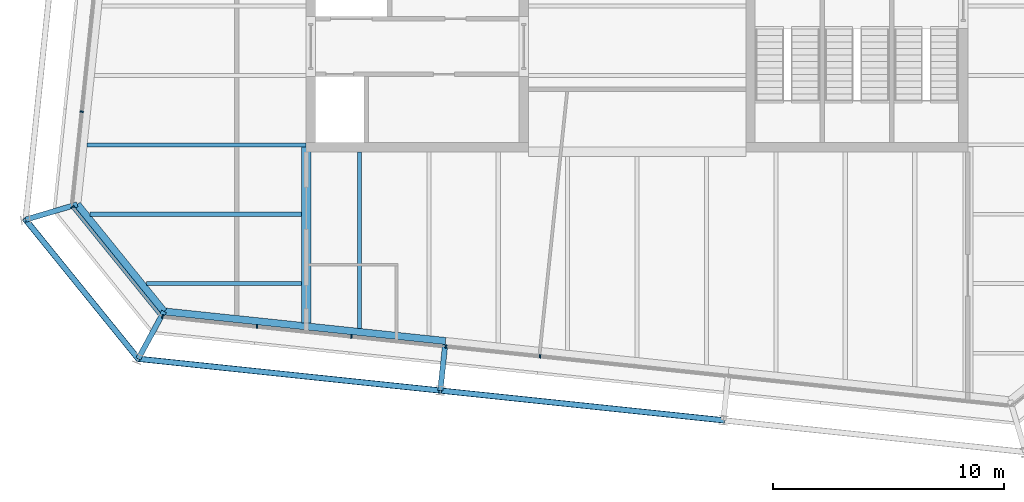
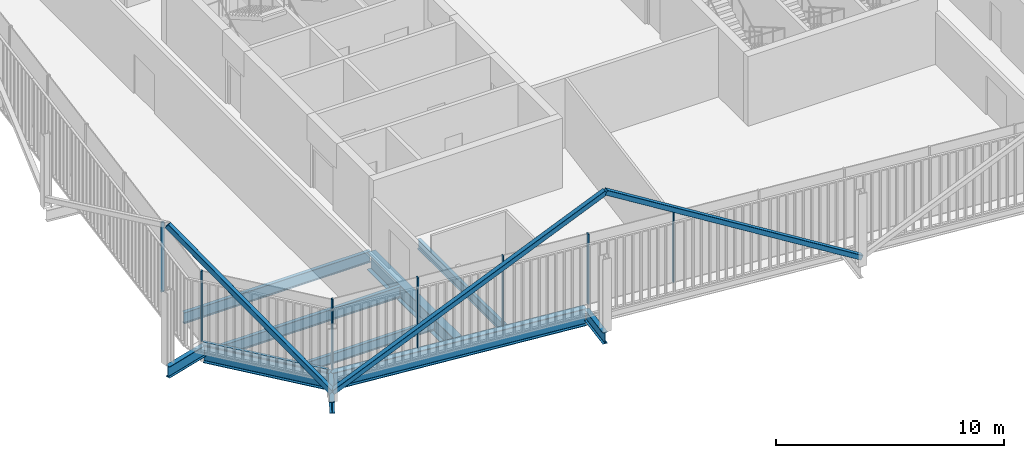
# One storey, part 3 of 21: 11 members, 10 beams, 3 elements without a shape of their own.
"""IFC4 building model written with IfcOpenShell, lengths in metres."""

import ifcopenshell
import ifcopenshell.guid

model = None  # the IFC model being written
_history = None  # IfcOwnerHistory: only IFC2X3 demands one
_inside = {}  # id of a spatial element -> (the spatial element, [elements in it])
_under = {}  # id of a project, library or spatial element -> (it, [spatial elements below it])
_declared = {}  # id of a project -> (the project, [libraries it declares])
_typed = {}  # id of a type object -> (the type object, [elements of that type])
_made_of = {}  # id of a material, layer set ... -> (it, [elements and type objects made of it])


def new_model(schema):
    """Start an empty IFC model of exactly this schema.

    Asked for "IFC4X3", IfcOpenShell would pick the latest addendum, in which some entities
    have other attributes; the version numbers below select the first issue.
    IFC2X3 requires an IfcOwnerHistory on every rooted entity: one is made here for all.
    """
    global model, _history
    if schema == "IFC4X3":
        model = ifcopenshell.file(schema_version=(4, 3, 0, 0))
    else:
        model = ifcopenshell.file(schema=schema)
    _inside.clear()
    _under.clear()
    _declared.clear()
    _typed.clear()
    _made_of.clear()
    _history = None
    if model.schema == "IFC2X3":
        org = make("IfcOrganization", Name="unknown")
        user = make(
            "IfcPersonAndOrganization",
            ThePerson=make("IfcPerson", FamilyName="unknown"),
            TheOrganization=org,
        )
        app = make(
            "IfcApplication",
            ApplicationDeveloper=org,
            Version="unknown",
            ApplicationFullName="unknown",
            ApplicationIdentifier="unknown",
        )
        _history = make(
            "IfcOwnerHistory",
            OwningUser=user,
            OwningApplication=app,
            ChangeAction="ADDED",
            CreationDate=0,
        )
    return model


def make(cls, **values):
    """One entity of the class cls with the attributes given. An attribute that is None is left unset."""
    return model.create_entity(
        cls, **{name: value for name, value in values.items() if value is not None}
    )


def rooted(cls, **values):
    """An entity with a GlobalId (a new one), such as an element, a storey or a relation."""
    return make(cls, GlobalId=ifcopenshell.guid.new(), OwnerHistory=_history, **values)


def si_unit(unit_type, name, prefix=None):
    """IfcSIUnit, for example si_unit("LENGTHUNIT", "METRE", prefix="MILLI")."""
    return make("IfcSIUnit", UnitType=unit_type, Prefix=prefix, Name=name)


def assignment(units):
    """IfcUnitAssignment: the units of a project."""
    return None if units is None else make("IfcUnitAssignment", Units=units)


def point(xyz):
    """IfcCartesianPoint."""
    return None if xyz is None else make("IfcCartesianPoint", Coordinates=xyz)


def direction(xyz):
    """IfcDirection."""
    return None if xyz is None else make("IfcDirection", DirectionRatios=xyz)


def frame(location, z_axis=None, x_axis=None):
    """IfcAxis2Placement3D, a coordinate frame: its origin and axes. An axis left out is left unset."""
    return make(
        "IfcAxis2Placement3D",
        Location=point(location),
        Axis=direction(z_axis),
        RefDirection=direction(x_axis),
    )


def frame_2d(location, x_axis=None):
    """IfcAxis2Placement2D, a coordinate frame in the plane: its origin and x axis."""
    return make(
        "IfcAxis2Placement2D", Location=point(location), RefDirection=direction(x_axis)
    )


def origin():
    """The frame at (0, 0, 0) with its axes left unset."""
    return frame((0.0, 0.0, 0.0))


def origin_2d():
    """The frame at (0, 0) in the plane with its x axis left unset."""
    return frame_2d((0.0, 0.0))


def place(relative_to, where):
    """IfcLocalPlacement: puts the frame where relative to a parent placement (None: the world)."""
    return make(
        "IfcLocalPlacement", PlacementRelTo=relative_to, RelativePlacement=where
    )


def context(
    kind, dimensions, precision=None, world=None, true_north=None, identifier=None
):
    """IfcGeometricRepresentationContext, for example the 3D "Model" context."""
    return make(
        "IfcGeometricRepresentationContext",
        ContextIdentifier=identifier,
        ContextType=kind,
        CoordinateSpaceDimension=dimensions,
        Precision=precision,
        WorldCoordinateSystem=world,
        TrueNorth=true_north,
    )


def subcontext(parent, identifier, kind, view, scale=None):
    """IfcGeometricRepresentationSubContext, for example "Body" below "Model"."""
    return make(
        "IfcGeometricRepresentationSubContext",
        ContextIdentifier=identifier,
        ContextType=kind,
        ParentContext=parent,
        TargetScale=scale,
        TargetView=view,
    )


def project(units=None, contexts=None):
    """IfcProject with its units and contexts."""
    return rooted(
        "IfcProject",
        Name="project",
        RepresentationContexts=contexts,
        UnitsInContext=assignment(units),
    )


def spatial(cls, under=None, at=None, **own):
    """A site, building, storey or space (cls), placed at a placement, below another one or the project."""
    s = rooted(cls, ObjectPlacement=at, **own)
    if under is not None:
        _under.setdefault(under.id(), (under, []))[1].append(s)
    return s


def profile(cls, at=None, kind="AREA", **sizes):
    """A parametric profile (cls). Its sizes go by their IFC names, for example OverallWidth=200.0."""
    return make(cls, ProfileType=kind, Position=at, **sizes)


def rectangle(**sizes):
    """IfcRectangleProfileDef."""
    return profile("IfcRectangleProfileDef", **sizes)


def hollow_rectangle(**sizes):
    """IfcRectangleHollowProfileDef."""
    return profile("IfcRectangleHollowProfileDef", **sizes)


def i_section(**sizes):
    """IfcIShapeProfileDef."""
    return profile("IfcIShapeProfileDef", **sizes)


def extrude(swept, where, along, depth):
    """IfcExtrudedAreaSolid: the profile swept, set in the frame where, extruded along a direction by depth."""
    return make(
        "IfcExtrudedAreaSolid",
        SweptArea=swept,
        Position=where,
        ExtrudedDirection=direction(along),
        Depth=depth,
    )


def shape(context_of_items, identifier, shape_type, items):
    """IfcShapeRepresentation: the items that make up one representation, for example the "Body"."""
    return make(
        "IfcShapeRepresentation",
        ContextOfItems=context_of_items,
        RepresentationIdentifier=identifier,
        RepresentationType=shape_type,
        Items=items,
    )


def material(Name=None, Category=None):
    """IfcMaterial."""
    return make("IfcMaterial", Name=Name, Category=Category)


def layer(
    of_material, thickness, ventilated=None, Name=None, Category=None, Priority=None
):
    """IfcMaterialLayer: one layer of a wall or slab, of a material (None: an air gap)."""
    return make(
        "IfcMaterialLayer",
        Material=of_material,
        LayerThickness=thickness,
        IsVentilated=ventilated,
        Name=Name,
        Category=Category,
        Priority=Priority,
    )


def layer_set(layers, Name=None):
    """IfcMaterialLayerSet."""
    return make("IfcMaterialLayerSet", MaterialLayers=layers, LayerSetName=Name)


def material_profile(
    of_material, cross_section, Name=None, Category=None, Priority=None
):
    """IfcMaterialProfile: a cross section and its material."""
    return make(
        "IfcMaterialProfile",
        Name=Name,
        Material=of_material,
        Profile=cross_section,
        Priority=Priority,
        Category=Category,
    )


def profile_set(profiles, Name=None, composite=None):
    """IfcMaterialProfileSet."""
    return make(
        "IfcMaterialProfileSet",
        Name=Name,
        MaterialProfiles=profiles,
        CompositeProfile=composite,
    )


def made_of(thing, what):
    """Note that an element or type object is made of a material, layer set ...; save() writes the relation."""
    if what is not None:
        _made_of.setdefault(what.id(), (what, []))[1].append(thing)
    return thing


def type_object(cls, material=None, **own):
    """A type object (cls), such as IfcWallType, which elements share."""
    return made_of(rooted(cls, **own), material)


def element(
    cls,
    number,
    at=None,
    inside=None,
    cuts=None,
    type_object=None,
    material=None,
    context=None,
    identifier="Body",
    shape_type=None,
    held_by="IfcProductDefinitionShape",
    body=None,
    shapes=None,
    **own,
):
    """One element of the class cls, such as IfcWall. Its Tag is "e" and its number.

    at: its placement. inside: the storey or other place that contains it. cuts: it is an
    opening in that element (IfcRelVoidsElement). A single representation is given by context,
    identifier, shape_type and body (its items); several are given by shapes. held_by: the class
    of the entity that holds the representations. save() writes the other relations.
    """
    e = rooted(cls, Tag="e%d" % number, ObjectPlacement=at, **own)
    if body is not None:
        shapes = [shape(context, identifier, shape_type, body)]
    if shapes is not None:
        e.Representation = make(held_by, Representations=shapes)
    if inside is not None:
        _inside.setdefault(inside.id(), (inside, []))[1].append(e)
    if cuts is not None:
        rooted(
            "IfcRelVoidsElement", RelatingBuildingElement=cuts, RelatedOpeningElement=e
        )
    if type_object is not None:
        _typed.setdefault(type_object.id(), (type_object, []))[1].append(e)
    return made_of(e, material)


def aggregate(whole, parts):
    """IfcRelAggregates: a whole, such as a stair, and the parts it consists of."""
    return rooted("IfcRelAggregates", RelatingObject=whole, RelatedObjects=parts)


def save(model, path):
    """Write the relations noted so far, then the file.

    IfcRelAggregates (storeys below a building ...), IfcRelContainedInSpatialStructure (elements
    in a storey), IfcRelDefinesByType, IfcRelAssociatesMaterial and IfcRelDeclares: one each for
    every whole, place, type object, material and project.
    """
    for whole, parts in _under.values():
        aggregate(whole, parts)
    for where, things in _inside.values():
        rooted(
            "IfcRelContainedInSpatialStructure",
            RelatedElements=things,
            RelatingStructure=where,
        )
    for kind, things in _typed.values():
        rooted("IfcRelDefinesByType", RelatedObjects=things, RelatingType=kind)
    for what, things in _made_of.values():
        rooted("IfcRelAssociatesMaterial", RelatedObjects=things, RelatingMaterial=what)
    for by, libraries in _declared.values():
        rooted("IfcRelDeclares", RelatingContext=by, RelatedDefinitions=libraries)
    model.write(path)


model = new_model("IFC4")

# Units and contexts
model_context = context("Model", 3, precision=1e-05, world=origin(), true_north=direction((0.0, 1.0)))
body_context = subcontext(model_context, "Body", "Model", "MODEL_VIEW")
ifc_project = project(units=[si_unit("LENGTHUNIT", "METRE"), si_unit("AREAUNIT", "SQUARE_METRE"), si_unit("VOLUMEUNIT", "CUBIC_METRE"), si_unit("PLANEANGLEUNIT", "RADIAN"), si_unit("MASSUNIT", "GRAM", prefix="KILO")], contexts=[model_context])

# Site, building, storey
site_placement = place(None, origin())
site = spatial("IfcSite", under=ifc_project, at=site_placement, CompositionType="ELEMENT")
building_placement = place(site_placement, origin())
building = spatial("IfcBuilding", under=site, at=building_placement, Name="Millrace Tower", CompositionType="ELEMENT")
storey_placement = place(building_placement, frame((0.0, 0.0, 283.800048828125)))
storey = spatial("IfcBuildingStorey", under=building, at=storey_placement, Name="L65", CompositionType="ELEMENT", Elevation=283.800048828125)

# Curtain wall, member
ifc_material_1 = material(Name="Aluminium and glass", Category="aluminium")
ifc_layer = layer(ifc_material_1, 0.14990234375)
ifc_layer_set = layer_set([ifc_layer], Name="Aluminium and glass")
curtain_wall_type = type_object("IfcCurtainWallType", Name="CW-1 office vision curtain wall", PredefinedType="NOTDEFINED", material=ifc_layer_set)
placement = place(storey_placement, origin())
curtain_wall_1 = element("IfcCurtainWall", 1, at=placement, inside=storey, type_object=curtain_wall_type, Name="Curtain wall E-F01 L65", PredefinedType="NOTDEFINED")
ifc_material_2 = material(Name="Aluminium", Category="aluminium")
ifc_material_profile_1 = material_profile(ifc_material_2, rectangle(XDim=0.06494140625, YDim=0.14990234375, at=origin_2d()))
ifc_profile_set_1 = profile_set([ifc_material_profile_1], Name="Aluminium")
member_type_1 = type_object("IfcMemberType", Name="CW-1 office vision curtain wall mullion", PredefinedType="MULLION", material=ifc_profile_set_1)
member_1_placement = place(storey_placement, frame((-24.391845703125, -11.693359375, 0.139892578125), z_axis=(0.0, 0.0, 1.0), x_axis=(0.629320278945, -0.777146052237, 0.0)))
member_1 = element("IfcMember", 2, at=member_1_placement, type_object=member_type_1, Name="CW1 mullion E-F01.1", PredefinedType="MULLION", context=body_context, shape_type="SweptSolid", body=[
    extrude(rectangle(XDim=0.06494140625, YDim=0.14990234375, at=origin_2d()), origin(), (0.0, 0.0, 1.0), 3.760009765625),
])

# Curtain wall, members
curtain_wall_2 = element("IfcCurtainWall", 3, at=placement, inside=storey, type_object=curtain_wall_type, Name="Curtain wall E-F02 L65", PredefinedType="NOTDEFINED")
member_2_placement = place(storey_placement, frame((-20.50244140625, -16.4248046875, 0.139892578125), z_axis=(0.0, 0.0, 1.0), x_axis=(0.994521896217, -0.104528455196, 0.0)))
member_2 = element("IfcMember", 4, at=member_2_placement, type_object=member_type_1, Name="CW1 mullion E-F02.1", PredefinedType="MULLION", context=body_context, shape_type="SweptSolid", body=[
    extrude(rectangle(XDim=0.06494140625, YDim=0.14990234375, at=origin_2d()), origin(), (0.0, 0.0, 1.0), 3.760009765625),
])
member_3_placement = place(storey_placement, frame((-16.425048828125, -16.853271484375, 0.139892578125), z_axis=(0.0, 0.0, 1.0), x_axis=(0.994521896217, -0.104528455196, 0.0)))
member_3 = element("IfcMember", 5, at=member_3_placement, type_object=member_type_1, Name="CW1 mullion E-F02.2", PredefinedType="MULLION", context=body_context, shape_type="SweptSolid", body=[
    extrude(rectangle(XDim=0.06494140625, YDim=0.14990234375, at=origin_2d()), origin(), (0.0, 0.0, 1.0), 3.760009765625),
])
member_4_placement = place(storey_placement, frame((-12.347412109375, -17.281982421875, 0.139892578125), z_axis=(0.0, 0.0, 1.0), x_axis=(0.994521896217, -0.104528455196, 0.0)))
member_4 = element("IfcMember", 6, at=member_4_placement, type_object=member_type_1, Name="CW1 mullion E-F02.3", PredefinedType="MULLION", context=body_context, shape_type="SweptSolid", body=[
    extrude(rectangle(XDim=0.06494140625, YDim=0.14990234375, at=origin_2d()), origin(), (0.0, 0.0, 1.0), 3.760009765625),
])
member_5_placement = place(storey_placement, frame((-8.269775390625, -17.71044921875, 0.139892578125), z_axis=(0.0, 0.0, 1.0), x_axis=(0.994521896217, -0.104528455196, 0.0)))
member_5 = element("IfcMember", 7, at=member_5_placement, type_object=member_type_1, Name="CW1 mullion E-F02.4", PredefinedType="MULLION", context=body_context, shape_type="SweptSolid", body=[
    extrude(rectangle(XDim=0.06494140625, YDim=0.14990234375, at=origin_2d()), origin(), (0.0, 0.0, 1.0), 3.760009765625),
])
member_6_placement = place(storey_placement, frame((-4.1923828125, -18.13916015625, 0.139892578125), z_axis=(0.0, 0.0, 1.0), x_axis=(0.994521896217, -0.104528455196, 0.0)))
member_6 = element("IfcMember", 8, at=member_6_placement, type_object=member_type_1, Name="CW1 mullion E-F02.5", PredefinedType="MULLION", context=body_context, shape_type="SweptSolid", body=[
    extrude(rectangle(XDim=0.06494140625, YDim=0.14990234375, at=origin_2d()), origin(), (0.0, 0.0, 1.0), 3.760009765625),
])
aggregate(curtain_wall_2, [member_2, member_3, member_4, member_5, member_6])

# Curtain wall, member
curtain_wall_3 = element("IfcCurtainWall", 9, at=placement, inside=storey, type_object=curtain_wall_type, Name="Curtain wall E-F08 L65", PredefinedType="NOTDEFINED")
member_7_placement = place(storey_placement, frame((-24.00341796875, -7.56787109375, 0.139892578125), z_axis=(0.0, 0.0, 1.0), x_axis=(-0.104528455196, -0.994521896217, 0.0)))
member_7 = element("IfcMember", 10, at=member_7_placement, type_object=member_type_1, Name="CW1 mullion E-F08.9", PredefinedType="MULLION", context=body_context, shape_type="SweptSolid", body=[
    extrude(rectangle(XDim=0.06494140625, YDim=0.14990234375, at=origin_2d()), origin(), (0.0, 0.0, 1.0), 3.760009765625),
])
aggregate(curtain_wall_3, [member_7])

# Member
ifc_material_3 = material(Name="Aluminium", Category="aluminium")
ifc_material_profile_2 = material_profile(ifc_material_3, rectangle(XDim=0.14990234375, YDim=0.139892578125, at=origin_2d()))
ifc_profile_set_2 = profile_set([ifc_material_profile_2], Name="Aluminium")
member_type_2 = type_object("IfcMemberType", Name="CW-1 office vision curtain wall transom", PredefinedType="USERDEFINED", material=ifc_profile_set_2)
member_8_placement = place(storey_placement, frame((-24.349365234375, -11.745849609375, 0.070068359375), z_axis=(0.629321221277, -0.777145289151, 0.0), x_axis=(0.777145289151, 0.629321221277, 0.0)))
member_8 = element("IfcMember", 11, at=member_8_placement, type_object=member_type_2, Name="CW1 transom E-F01.1", ObjectType="TRANSOM", PredefinedType="USERDEFINED", context=body_context, shape_type="SweptSolid", body=[
    extrude(rectangle(XDim=0.14990234375, YDim=0.139892578125, at=origin_2d()), origin(), (0.0, 0.0, 1.0), 5.881103515625),
])

aggregate(curtain_wall_1, [member_1, member_8])

# Members
ifc_material_4 = material(Name="Steel ASTM A500 Grade C", Category="steel")
ifc_material_profile_3 = material_profile(ifc_material_4, hollow_rectangle(XDim=0.25390625, YDim=0.25390625, WallThickness=0.0126953125, InnerFilletRadius=0.00634765625, OuterFilletRadius=0.01904296875, at=origin_2d()))
ifc_profile_set_3 = profile_set([ifc_material_profile_3], Name="Steel ASTM A500 Grade C")
member_type_3 = type_object("IfcMemberType", Name="Exoskeleton brace HSS10x10x1/2", PredefinedType="BRACE", material=ifc_profile_set_3)
member_9_placement = place(storey_placement, frame((-21.559814453125, -18.249267578125, 0.39990234375), z_axis=(-0.466694392708, 0.57631352586, 0.670864415308), x_axis=(-0.777142728993, -0.62932438279, 0.0)))
element("IfcMember", 12, at=member_9_placement, inside=storey, type_object=member_type_3, Name="BRC-E-L65-01", PredefinedType="BRACE", context=body_context, shape_type="SweptSolid", body=[
    extrude(hollow_rectangle(XDim=0.25390625, YDim=0.25390625, WallThickness=0.0126953125, InnerFilletRadius=0.00634765625, OuterFilletRadius=0.01904296875, at=origin_2d()), origin(), (0.0, 0.0, 1.0), 10.434326171875),
])
member_10_placement = place(storey_placement, frame((-21.559814453125, -18.249267578125, 0.39990234375), z_axis=(0.877568210125, -0.092238278747, 0.470495628578), x_axis=(0.104530865473, 0.994521642883, 0.0)))
element("IfcMember", 13, at=member_10_placement, inside=storey, type_object=member_type_3, Name="BRC-E-L65-02", PredefinedType="BRACE", context=body_context, shape_type="SweptSolid", body=[
    extrude(hollow_rectangle(XDim=0.25390625, YDim=0.25390625, WallThickness=0.0126953125, InnerFilletRadius=0.00634765625, OuterFilletRadius=0.01904296875, at=origin_2d()), origin(), (0.0, 0.0, 1.0), 14.8779296875),
])
member_11_placement = place(storey_placement, frame((3.729248046875, -20.9072265625, 0.39990234375), z_axis=(-0.864351522622, 0.090842732624, 0.494615045537), x_axis=(-0.104523600289, -0.994522406476, 0.0)))
element("IfcMember", 14, at=member_11_placement, inside=storey, type_object=member_type_3, Name="BRC-E-L65-03", PredefinedType="BRACE", context=body_context, shape_type="SweptSolid", body=[
    extrude(hollow_rectangle(XDim=0.25390625, YDim=0.25390625, WallThickness=0.0126953125, InnerFilletRadius=0.00634765625, OuterFilletRadius=0.01904296875, at=origin_2d()), origin(), (0.0, 0.0, 1.0), 14.15234375),
])

# Beams
ifc_material_5 = material(Name="Steel ASTM A992 Grade 50", Category="steel")
ifc_material_profile_4 = material_profile(ifc_material_5, i_section(OverallWidth=0.1650390625, OverallDepth=0.52587890625, WebThickness=0.0087890625, FlangeThickness=0.011474609375, FilletRadius=0.0126953125, at=origin_2d()))
ifc_profile_set_4 = profile_set([ifc_material_profile_4], Name="Steel ASTM A992 Grade 50")
beam_type_1 = type_object("IfcBeamType", Name="Floor beam W21x44", PredefinedType="JOIST", material=ifc_profile_set_4)
beam_1_placement = place(storey_placement, frame((-12.0, -16.93408203125, -0.4228515625), z_axis=(0.0, 1.0, 0.0), x_axis=(-1.0, 0.0, 0.0)))
element("IfcBeam", 15, at=beam_1_placement, inside=storey, type_object=beam_type_1, Name="BM-E-L65-S1-S037", PredefinedType="JOIST", context=body_context, shape_type="SweptSolid", body=[
    extrude(i_section(OverallWidth=0.1650390625, OverallDepth=0.52587890625, WebThickness=0.0087890625, FlangeThickness=0.011474609375, FilletRadius=0.0126953125, at=origin_2d()), origin(), (0.0, 0.0, 1.0), 7.634033203125),
])
beam_2_placement = place(storey_placement, frame((-21.214111328125, -15.0, -0.4228515625), z_axis=(1.0, 0.0, 0.0), x_axis=(0.0, 1.0, 0.0)))
element("IfcBeam", 16, at=beam_2_placement, inside=storey, type_object=beam_type_1, Name="BM-E-L65-S1-S002", PredefinedType="JOIST", context=body_context, shape_type="SweptSolid", body=[
    extrude(i_section(OverallWidth=0.1650390625, OverallDepth=0.52587890625, WebThickness=0.0087890625, FlangeThickness=0.011474609375, FilletRadius=0.0126953125, at=origin_2d()), origin(), (0.0, 0.0, 1.0), 6.70458984375),
])
ifc_material_6 = material(Name="Steel ASTM A992 Grade 50", Category="steel")
ifc_material_profile_5 = material_profile(ifc_material_6, i_section(OverallWidth=0.177978515625, OverallDepth=0.599365234375, WebThickness=0.010009765625, FlangeThickness=0.012939453125, FilletRadius=0.012939453125, at=origin_2d()))
ifc_profile_set_5 = profile_set([ifc_material_profile_5], Name="Steel ASTM A992 Grade 50")
beam_type_2 = type_object("IfcBeamType", Name="Floor beam W24x55", PredefinedType="JOIST", material=ifc_profile_set_5)
beam_3_placement = place(storey_placement, frame((-23.76953125, -9.0, -0.459716796875), z_axis=(1.0, 0.0, 0.0), x_axis=(0.0, 1.0, 0.0)))
element("IfcBeam", 17, at=beam_3_placement, inside=storey, type_object=beam_type_2, Name="BM-E-L65-S1-S006", PredefinedType="JOIST", context=body_context, shape_type="SweptSolid", body=[
    extrude(i_section(OverallWidth=0.177978515625, OverallDepth=0.599365234375, WebThickness=0.010009765625, FlangeThickness=0.012939453125, FilletRadius=0.012939453125, at=origin_2d()), origin(), (0.0, 0.0, 1.0), 9.469482421875),
])
beam_4_placement = place(storey_placement, frame((-23.635498046875, -12.0, -0.459716796875), z_axis=(1.0, 0.0, 0.0), x_axis=(0.0, 1.0, 0.0)))
element("IfcBeam", 18, at=beam_4_placement, inside=storey, type_object=beam_type_2, Name="BM-E-L65-S1-S004", PredefinedType="JOIST", context=body_context, shape_type="SweptSolid", body=[
    extrude(i_section(OverallWidth=0.177978515625, OverallDepth=0.599365234375, WebThickness=0.010009765625, FlangeThickness=0.012939453125, FilletRadius=0.012939453125, at=origin_2d()), origin(), (0.0, 0.0, 1.0), 9.1259765625),
])
ifc_material_7 = material(Name="Steel ASTM A992 Grade 50", Category="steel")
ifc_material_profile_6 = material_profile(ifc_material_7, i_section(OverallWidth=0.419189453125, OverallDepth=0.927001953125, WebThickness=0.019287109375, FlangeThickness=0.031982421875, FilletRadius=0.024169921875, at=origin_2d()))
ifc_profile_set_6 = profile_set([ifc_material_profile_6], Name="Steel ASTM A992 Grade 50")
beam_type_3 = type_object("IfcBeamType", Name="Girder short span W36x231", PredefinedType="BEAM", material=ifc_profile_set_6)
beam_5_placement = place(storey_placement, frame((-14.300048828125, -16.6923828125, -0.62353515625), z_axis=(0.0, 1.0, 0.0), x_axis=(-1.0, 0.0, 0.0)))
element("IfcBeam", 19, at=beam_5_placement, inside=storey, type_object=beam_type_3, Name="BM-E-L65-S1-G055", PredefinedType="BEAM", context=body_context, shape_type="SweptSolid", body=[
    extrude(i_section(OverallWidth=0.419189453125, OverallDepth=0.927001953125, WebThickness=0.019287109375, FlangeThickness=0.031982421875, FilletRadius=0.024169921875, at=origin_2d()), origin(), (0.0, 0.0, 1.0), 7.600341796875),
])
ifc_material_8 = material(Name="Steel ASTM A992 Grade 50", Category="steel")
ifc_material_profile_7 = material_profile(ifc_material_8, i_section(OverallWidth=0.23046875, OverallDepth=0.6171875, WebThickness=0.01318359375, FlangeThickness=0.022216796875, FilletRadius=0.012939453125, at=origin_2d()))
ifc_profile_set_7 = profile_set([ifc_material_profile_7], Name="Steel ASTM A992 Grade 50")
beam_type_4 = type_object("IfcBeamType", Name="Link beam W24x94", PredefinedType="BEAM", material=ifc_profile_set_7)
beam_6_placement = place(storey_placement, frame((-24.1943359375, -11.57373046875, -0.46875), z_axis=(-0.958815015936, -0.284031275065, 0.0), x_axis=(0.284031275065, -0.958815015936, 0.0)))
element("IfcBeam", 20, at=beam_6_placement, inside=storey, type_object=beam_type_4, Name="LNK-E-L65-S1-01", PredefinedType="BEAM", context=body_context, shape_type="SweptSolid", body=[
    extrude(i_section(OverallWidth=0.23046875, OverallDepth=0.6171875, WebThickness=0.01318359375, FlangeThickness=0.022216796875, FilletRadius=0.012939453125, at=origin_2d()), origin(), (0.0, 0.0, 1.0), 2.3310546875),
])
beam_7_placement = place(storey_placement, frame((-8.29443359375, -17.632568359375, -0.46875), z_axis=(-0.104494148666, -0.99452550138, 0.0), x_axis=(0.99452550138, -0.104494148666, 0.0)))
element("IfcBeam", 21, at=beam_7_placement, inside=storey, type_object=beam_type_4, Name="LNK-E-L65-S1-15", PredefinedType="BEAM", context=body_context, shape_type="SweptSolid", body=[
    extrude(i_section(OverallWidth=0.23046875, OverallDepth=0.6171875, WebThickness=0.01318359375, FlangeThickness=0.022216796875, FilletRadius=0.012939453125, at=origin_2d()), origin(), (0.0, 0.0, 1.0), 2.0),
])
beam_8_placement = place(storey_placement, frame((-20.447509765625, -16.20068359375, -0.46875), z_axis=(-0.477163510307, -0.87881453358, 0.0), x_axis=(0.87881453358, -0.477163510307, 0.0)))
element("IfcBeam", 22, at=beam_8_placement, inside=storey, type_object=beam_type_4, Name="LNK-E-L65-S1-16", PredefinedType="BEAM", context=body_context, shape_type="SweptSolid", body=[
    extrude(i_section(OverallWidth=0.23046875, OverallDepth=0.6171875, WebThickness=0.01318359375, FlangeThickness=0.022216796875, FilletRadius=0.012939453125, at=origin_2d()), origin(), (0.0, 0.0, 1.0), 2.3310546875),
])
ifc_material_9 = material(Name="Steel ASTM A992 Grade 50", Category="steel")
ifc_material_profile_8 = material_profile(ifc_material_9, i_section(OverallWidth=0.307373046875, OverallDepth=0.927001953125, WebThickness=0.01953125, FlangeThickness=0.031982421875, FilletRadius=0.01904296875, at=origin_2d()))
ifc_profile_set_8 = profile_set([ifc_material_profile_8], Name="Steel ASTM A992 Grade 50")
beam_type_5 = type_object("IfcBeamType", Name="Ring beam medium span W36x194", PredefinedType="SPANDREL", material=ifc_profile_set_8)
beam_9_placement = place(storey_placement, frame((-8.2783203125, -17.479736328125, -0.62353515625), z_axis=(-0.994521730693, 0.104530030035, 0.0), x_axis=(-0.104530030035, -0.994521730693, 0.0)))
element("IfcBeam", 23, at=beam_9_placement, inside=storey, type_object=beam_type_5, Name="RNG-E-L65-S1-15", PredefinedType="SPANDREL", context=body_context, shape_type="SweptSolid", body=[
    extrude(i_section(OverallWidth=0.307373046875, OverallDepth=0.927001953125, WebThickness=0.01953125, FlangeThickness=0.031982421875, FilletRadius=0.01904296875, at=origin_2d()), origin(), (0.0, 0.0, 1.0), 12.236328125),
])
ifc_material_10 = material(Name="Steel ASTM A992 Grade 50", Category="steel")
ifc_material_profile_9 = material_profile(ifc_material_10, i_section(OverallWidth=0.307373046875, OverallDepth=0.927001953125, WebThickness=0.01953125, FlangeThickness=0.031982421875, FilletRadius=0.01904296875, at=origin_2d()))
ifc_profile_set_9 = profile_set([ifc_material_profile_9], Name="Steel ASTM A992 Grade 50")
beam_type_6 = type_object("IfcBeamType", Name="Ring beam short span W36x194", PredefinedType="SPANDREL", material=ifc_profile_set_9)
beam_10_placement = place(storey_placement, frame((-20.447509765625, -16.20068359375, -0.62353515625), z_axis=(-0.629319722443, 0.777146502883, 0.0), x_axis=(-0.777146502883, -0.629319722443, 0.0)))
element("IfcBeam", 24, at=beam_10_placement, inside=storey, type_object=beam_type_6, Name="RNG-E-L65-S1-16", PredefinedType="SPANDREL", context=body_context, shape_type="SweptSolid", body=[
    extrude(i_section(OverallWidth=0.307373046875, OverallDepth=0.927001953125, WebThickness=0.01953125, FlangeThickness=0.031982421875, FilletRadius=0.01904296875, at=origin_2d()), origin(), (0.0, 0.0, 1.0), 5.953857421875),
])

save(model, "model.ifc")
